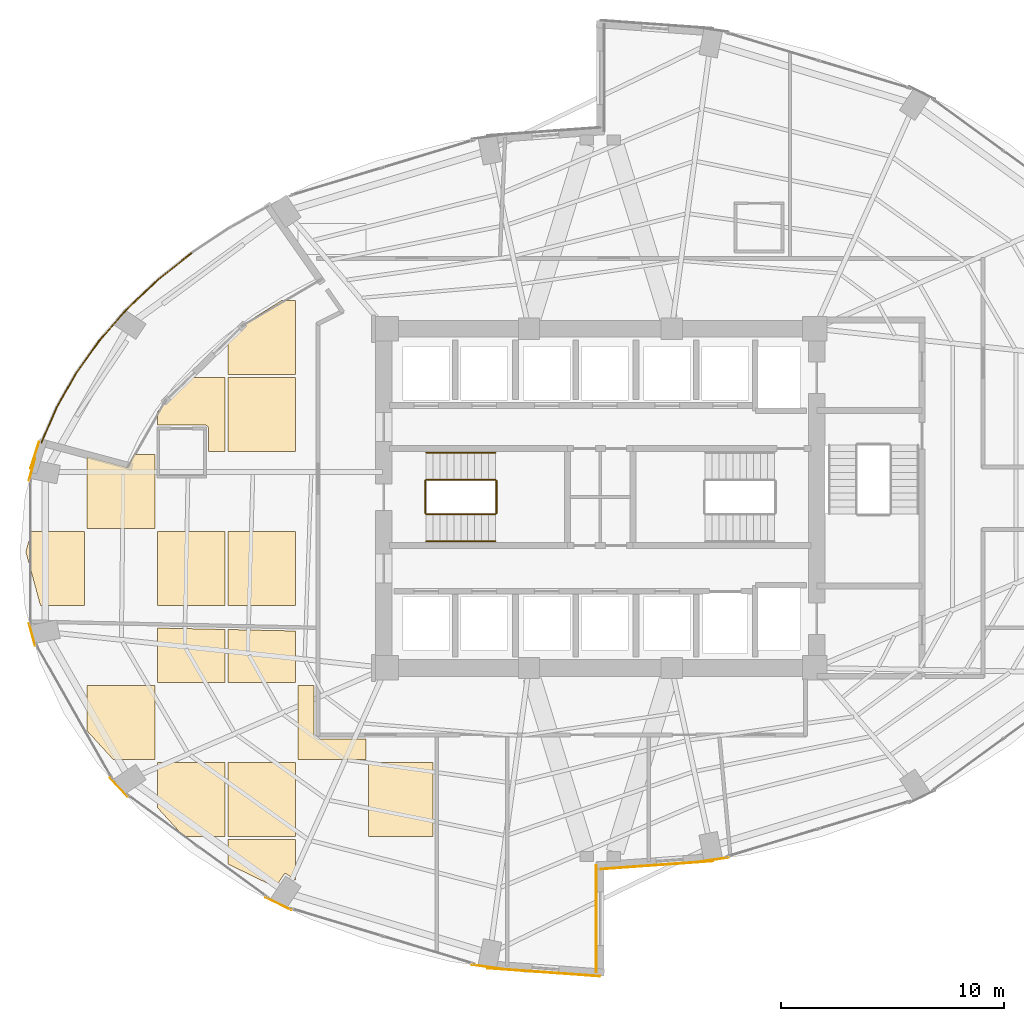
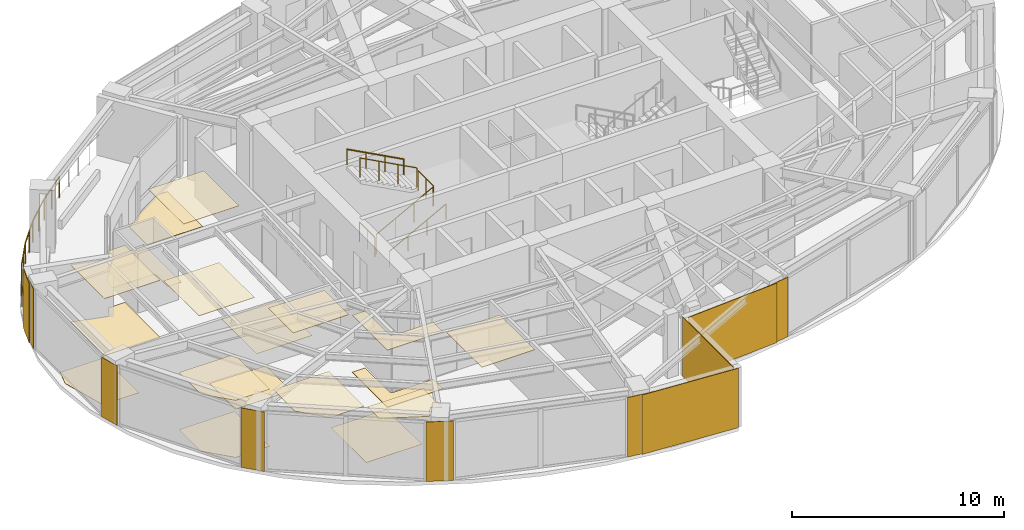
# One storey, part 23 of 24: 28 coverings, 12 railings.
"""IFC4 building model written with IfcOpenShell, lengths in metres."""

import ifcopenshell
import ifcopenshell.guid

model = None  # the IFC model being written
_history = None  # IfcOwnerHistory: only IFC2X3 demands one
_inside = {}  # id of a spatial element -> (the spatial element, [elements in it])
_under = {}  # id of a project, library or spatial element -> (it, [spatial elements below it])
_declared = {}  # id of a project -> (the project, [libraries it declares])
_typed = {}  # id of a type object -> (the type object, [elements of that type])
_made_of = {}  # id of a material, layer set ... -> (it, [elements and type objects made of it])


def new_model(schema):
    """Start an empty IFC model of exactly this schema.

    Asked for "IFC4X3", IfcOpenShell would pick the latest addendum, in which some entities
    have other attributes; the version numbers below select the first issue.
    IFC2X3 requires an IfcOwnerHistory on every rooted entity: one is made here for all.
    """
    global model, _history
    if schema == "IFC4X3":
        model = ifcopenshell.file(schema_version=(4, 3, 0, 0))
    else:
        model = ifcopenshell.file(schema=schema)
    _inside.clear()
    _under.clear()
    _declared.clear()
    _typed.clear()
    _made_of.clear()
    _history = None
    if model.schema == "IFC2X3":
        org = make("IfcOrganization", Name="unknown")
        user = make(
            "IfcPersonAndOrganization",
            ThePerson=make("IfcPerson", FamilyName="unknown"),
            TheOrganization=org,
        )
        app = make(
            "IfcApplication",
            ApplicationDeveloper=org,
            Version="unknown",
            ApplicationFullName="unknown",
            ApplicationIdentifier="unknown",
        )
        _history = make(
            "IfcOwnerHistory",
            OwningUser=user,
            OwningApplication=app,
            ChangeAction="ADDED",
            CreationDate=0,
        )
    return model


def make(cls, **values):
    """One entity of the class cls with the attributes given. An attribute that is None is left unset."""
    return model.create_entity(
        cls, **{name: value for name, value in values.items() if value is not None}
    )


def rooted(cls, **values):
    """An entity with a GlobalId (a new one), such as an element, a storey or a relation."""
    return make(cls, GlobalId=ifcopenshell.guid.new(), OwnerHistory=_history, **values)


def si_unit(unit_type, name, prefix=None):
    """IfcSIUnit, for example si_unit("LENGTHUNIT", "METRE", prefix="MILLI")."""
    return make("IfcSIUnit", UnitType=unit_type, Prefix=prefix, Name=name)


def assignment(units):
    """IfcUnitAssignment: the units of a project."""
    return None if units is None else make("IfcUnitAssignment", Units=units)


def point(xyz):
    """IfcCartesianPoint."""
    return None if xyz is None else make("IfcCartesianPoint", Coordinates=xyz)


def direction(xyz):
    """IfcDirection."""
    return None if xyz is None else make("IfcDirection", DirectionRatios=xyz)


def frame(location, z_axis=None, x_axis=None):
    """IfcAxis2Placement3D, a coordinate frame: its origin and axes. An axis left out is left unset."""
    return make(
        "IfcAxis2Placement3D",
        Location=point(location),
        Axis=direction(z_axis),
        RefDirection=direction(x_axis),
    )


def frame_2d(location, x_axis=None):
    """IfcAxis2Placement2D, a coordinate frame in the plane: its origin and x axis."""
    return make(
        "IfcAxis2Placement2D", Location=point(location), RefDirection=direction(x_axis)
    )


def origin():
    """The frame at (0, 0, 0) with its axes left unset."""
    return frame((0.0, 0.0, 0.0))


def origin_2d():
    """The frame at (0, 0) in the plane with its x axis left unset."""
    return frame_2d((0.0, 0.0))


def place(relative_to, where):
    """IfcLocalPlacement: puts the frame where relative to a parent placement (None: the world)."""
    return make(
        "IfcLocalPlacement", PlacementRelTo=relative_to, RelativePlacement=where
    )


def context(
    kind, dimensions, precision=None, world=None, true_north=None, identifier=None
):
    """IfcGeometricRepresentationContext, for example the 3D "Model" context."""
    return make(
        "IfcGeometricRepresentationContext",
        ContextIdentifier=identifier,
        ContextType=kind,
        CoordinateSpaceDimension=dimensions,
        Precision=precision,
        WorldCoordinateSystem=world,
        TrueNorth=true_north,
    )


def subcontext(parent, identifier, kind, view, scale=None):
    """IfcGeometricRepresentationSubContext, for example "Body" below "Model"."""
    return make(
        "IfcGeometricRepresentationSubContext",
        ContextIdentifier=identifier,
        ContextType=kind,
        ParentContext=parent,
        TargetScale=scale,
        TargetView=view,
    )


def project(units=None, contexts=None):
    """IfcProject with its units and contexts."""
    return rooted(
        "IfcProject",
        Name="project",
        RepresentationContexts=contexts,
        UnitsInContext=assignment(units),
    )


def spatial(cls, under=None, at=None, **own):
    """A site, building, storey or space (cls), placed at a placement, below another one or the project."""
    s = rooted(cls, ObjectPlacement=at, **own)
    if under is not None:
        _under.setdefault(under.id(), (under, []))[1].append(s)
    return s


def polyline(points):
    """IfcPolyline through the points."""
    return make("IfcPolyline", Points=[point(p) for p in points])


def profile(cls, at=None, kind="AREA", **sizes):
    """A parametric profile (cls). Its sizes go by their IFC names, for example OverallWidth=200.0."""
    return make(cls, ProfileType=kind, Position=at, **sizes)


def rectangle(**sizes):
    """IfcRectangleProfileDef."""
    return profile("IfcRectangleProfileDef", **sizes)


def circle(**sizes):
    """IfcCircleProfileDef."""
    return profile("IfcCircleProfileDef", **sizes)


def outline(outer, holes=None, kind="AREA"):
    """IfcArbitraryClosedProfileDef: a profile drawn as a closed curve; with holes, ...WithVoids."""
    if holes is None:
        return make("IfcArbitraryClosedProfileDef", ProfileType=kind, OuterCurve=outer)
    return make(
        "IfcArbitraryProfileDefWithVoids",
        ProfileType=kind,
        OuterCurve=outer,
        InnerCurves=holes,
    )


def extrude(swept, where, along, depth):
    """IfcExtrudedAreaSolid: the profile swept, set in the frame where, extruded along a direction by depth."""
    return make(
        "IfcExtrudedAreaSolid",
        SweptArea=swept,
        Position=where,
        ExtrudedDirection=direction(along),
        Depth=depth,
    )


def shape(context_of_items, identifier, shape_type, items):
    """IfcShapeRepresentation: the items that make up one representation, for example the "Body"."""
    return make(
        "IfcShapeRepresentation",
        ContextOfItems=context_of_items,
        RepresentationIdentifier=identifier,
        RepresentationType=shape_type,
        Items=items,
    )


def material(Name=None, Category=None):
    """IfcMaterial."""
    return make("IfcMaterial", Name=Name, Category=Category)


def layer(
    of_material, thickness, ventilated=None, Name=None, Category=None, Priority=None
):
    """IfcMaterialLayer: one layer of a wall or slab, of a material (None: an air gap)."""
    return make(
        "IfcMaterialLayer",
        Material=of_material,
        LayerThickness=thickness,
        IsVentilated=ventilated,
        Name=Name,
        Category=Category,
        Priority=Priority,
    )


def layer_set(layers, Name=None):
    """IfcMaterialLayerSet."""
    return make("IfcMaterialLayerSet", MaterialLayers=layers, LayerSetName=Name)


def made_of(thing, what):
    """Note that an element or type object is made of a material, layer set ...; save() writes the relation."""
    if what is not None:
        _made_of.setdefault(what.id(), (what, []))[1].append(thing)
    return thing


def type_object(cls, material=None, **own):
    """A type object (cls), such as IfcWallType, which elements share."""
    return made_of(rooted(cls, **own), material)


def element(
    cls,
    number,
    at=None,
    inside=None,
    cuts=None,
    type_object=None,
    material=None,
    context=None,
    identifier="Body",
    shape_type=None,
    held_by="IfcProductDefinitionShape",
    body=None,
    shapes=None,
    **own,
):
    """One element of the class cls, such as IfcWall. Its Tag is "e" and its number.

    at: its placement. inside: the storey or other place that contains it. cuts: it is an
    opening in that element (IfcRelVoidsElement). A single representation is given by context,
    identifier, shape_type and body (its items); several are given by shapes. held_by: the class
    of the entity that holds the representations. save() writes the other relations.
    """
    e = rooted(cls, Tag="e%d" % number, ObjectPlacement=at, **own)
    if body is not None:
        shapes = [shape(context, identifier, shape_type, body)]
    if shapes is not None:
        e.Representation = make(held_by, Representations=shapes)
    if inside is not None:
        _inside.setdefault(inside.id(), (inside, []))[1].append(e)
    if cuts is not None:
        rooted(
            "IfcRelVoidsElement", RelatingBuildingElement=cuts, RelatedOpeningElement=e
        )
    if type_object is not None:
        _typed.setdefault(type_object.id(), (type_object, []))[1].append(e)
    return made_of(e, material)


def aggregate(whole, parts):
    """IfcRelAggregates: a whole, such as a stair, and the parts it consists of."""
    return rooted("IfcRelAggregates", RelatingObject=whole, RelatedObjects=parts)


def save(model, path):
    """Write the relations noted so far, then the file.

    IfcRelAggregates (storeys below a building ...), IfcRelContainedInSpatialStructure (elements
    in a storey), IfcRelDefinesByType, IfcRelAssociatesMaterial and IfcRelDeclares: one each for
    every whole, place, type object, material and project.
    """
    for whole, parts in _under.values():
        aggregate(whole, parts)
    for where, things in _inside.values():
        rooted(
            "IfcRelContainedInSpatialStructure",
            RelatedElements=things,
            RelatingStructure=where,
        )
    for kind, things in _typed.values():
        rooted("IfcRelDefinesByType", RelatedObjects=things, RelatingType=kind)
    for what, things in _made_of.values():
        rooted("IfcRelAssociatesMaterial", RelatedObjects=things, RelatingMaterial=what)
    for by, libraries in _declared.values():
        rooted("IfcRelDeclares", RelatingContext=by, RelatedDefinitions=libraries)
    model.write(path)


model = new_model("IFC4")

# Units and contexts
model_context = context("Model", 3, precision=1e-05, world=origin(), true_north=direction((0.0, 1.0)))
body_context = subcontext(model_context, "Body", "Model", "MODEL_VIEW")
ifc_project = project(units=[si_unit("LENGTHUNIT", "METRE"), si_unit("AREAUNIT", "SQUARE_METRE"), si_unit("VOLUMEUNIT", "CUBIC_METRE"), si_unit("PLANEANGLEUNIT", "RADIAN"), si_unit("MASSUNIT", "GRAM", prefix="KILO")], contexts=[model_context])

# Site, building, storey
site_placement = place(None, origin())
site = spatial("IfcSite", under=ifc_project, at=site_placement, CompositionType="ELEMENT")
building_placement = place(site_placement, origin())
building = spatial("IfcBuilding", under=site, at=building_placement, Name="Lazwardi Medical Tower", CompositionType="ELEMENT")
storey_placement = place(building_placement, frame((0.0, 0.0, 110.927978515625)))
storey = spatial("IfcBuildingStorey", under=building, at=storey_placement, Name="L28", CompositionType="ELEMENT", Elevation=110.927978515625)

# Coverings
ifc_material_1 = material(Name="Anodised bronze aluminium cassette cladding", Category="aluminium")
ifc_layer_1 = layer(ifc_material_1, 0.030029296875)
ifc_layer_set_1 = layer_set([ifc_layer_1], Name="Anodised bronze aluminium cassette cladding")
covering_type_1 = type_object("IfcCoveringType", Name="COV-CLD-BRZ", PredefinedType="CLADDING", material=ifc_layer_set_1)
covering_1_placement = place(storey_placement, frame((41.064208984375, 11.80322265625, 0.0), z_axis=(0.0, 0.0, 1.0), x_axis=(0.989609019093, 0.143784523955, 0.0)))
element("IfcCovering", 1, at=covering_1_placement, inside=storey, type_object=covering_type_1, Name="L28 Mega-column bronze cassette cover M01", PredefinedType="CLADDING", context=body_context, shape_type="SweptSolid", body=[
    extrude(rectangle(XDim=1.392333984375, YDim=0.030029296875, at=origin_2d()), origin(), (0.0, 0.0, 1.0), 3.427978515625),
])
for number, where, z_axis, x_axis, name in (
    (2, (10.540283203125, 29.299072265625, 0.0), (0.0, 0.0, 1.0), (-0.262696108164, -0.964878621774, 0.0), "L28 Mega-column bronze cassette cover M12"),
    (3, (10.540283203125, 21.90087890625, 0.0), (0.0, 0.0, 1.0), (0.262696108164, -0.964878621774, 0.0), "L28 Mega-column bronze cassette cover M13"),
):
    element("IfcCovering", number, at=place(storey_placement, frame(where, z_axis=z_axis, x_axis=x_axis)), inside=storey, type_object=covering_type_1, Name=name, PredefinedType="CLADDING", context=body_context, shape_type="SweptSolid", body=[
        extrude(rectangle(XDim=1.04296875, YDim=0.030029296875, at=origin_2d()), origin(), (0.0, 0.0, 1.0), 3.427978515625),
    ])
covering_2_placement = place(storey_placement, frame((14.416259765625, 15.06591796875, 0.0), z_axis=(0.0, 0.0, 1.0), x_axis=(0.674925949214, -0.737885467453, 0.0)))
element("IfcCovering", 4, at=covering_2_placement, inside=storey, type_object=covering_type_1, Name="L28 Mega-column bronze cassette cover M14", PredefinedType="CLADDING", context=body_context, shape_type="SweptSolid", body=[
    extrude(rectangle(XDim=1.15625, YDim=0.030029296875, at=origin_2d()), origin(), (0.0, 0.0, 1.0), 3.427978515625),
])
covering_3_placement = place(storey_placement, frame((21.578125, 9.83447265625, 0.0), z_axis=(0.0, 0.0, 1.0), x_axis=(0.898679250201, -0.438606435495, 0.0)))
element("IfcCovering", 5, at=covering_3_placement, inside=storey, type_object=covering_type_1, Name="L28 Mega-column bronze cassette cover M15", PredefinedType="CLADDING", context=body_context, shape_type="SweptSolid", body=[
    extrude(rectangle(XDim=1.2998046875, YDim=0.030029296875, at=origin_2d()), origin(), (0.0, 0.0, 1.0), 3.427978515625),
])
covering_4_placement = place(storey_placement, frame((30.935791015625, 7.00341796875, 0.0), z_axis=(0.0, 0.0, 1.0), x_axis=(0.989609019093, -0.143784523955, 0.0)))
element("IfcCovering", 6, at=covering_4_placement, inside=storey, type_object=covering_type_1, Name="L28 Mega-column bronze cassette cover M16", PredefinedType="CLADDING", context=body_context, shape_type="SweptSolid", body=[
    extrude(rectangle(XDim=1.392333984375, YDim=0.030029296875, at=origin_2d()), origin(), (0.0, 0.0, 1.0), 3.427978515625),
])
ifc_material_2 = material(Name="Turquoise glazed ceramic tilework cladding", Category="masonry")
ifc_layer_2 = layer(ifc_material_2, 0.034912109375)
ifc_layer_set_2 = layer_set([ifc_layer_2], Name="Turquoise glazed ceramic tilework cladding")
covering_type_2 = type_object("IfcCoveringType", Name="COV-CLD-TRQ", PredefinedType="CLADDING", material=ifc_layer_set_2)
covering_5_placement = place(storey_placement, frame((38.533203125, 11.56591796875, 0.0), z_axis=(0.0, 0.0, 1.0), x_axis=(0.997431665415, 0.07162452672, 0.0)))
element("IfcCovering", 7, at=covering_5_placement, inside=storey, type_object=covering_type_2, Name="L28 Turquoise glazed ceramic tilework cladding", PredefinedType="CLADDING", context=body_context, shape_type="SweptSolid", body=[
    extrude(rectangle(XDim=5.05419921875, YDim=0.034912109375, at=origin_2d()), origin(), (0.0, 0.0, 1.0), 3.427978515625),
])
covering_6_placement = place(storey_placement, frame((33.466552734375, 6.76611328125, 0.0), z_axis=(0.0, 0.0, 1.0), x_axis=(0.997431165357, -0.071631490105, 0.0)))
element("IfcCovering", 8, at=covering_6_placement, inside=storey, type_object=covering_type_2, Name="L28 Turquoise glazed ceramic tilework cladding", PredefinedType="CLADDING", context=body_context, shape_type="SweptSolid", body=[
    extrude(rectangle(XDim=5.0537109375, YDim=0.034912109375, at=origin_2d()), origin(), (0.0, 0.0, 1.0), 3.427978515625),
])
covering_7_placement = place(storey_placement, frame((35.824462890625, 9.159912109375, 0.0), z_axis=(0.0, 0.0, 1.0), x_axis=(0.0, 1.0, 0.0)))
element("IfcCovering", 9, at=covering_7_placement, inside=storey, type_object=covering_type_2, Name="L28 Turquoise glazed ceramic tilework iwan panel", PredefinedType="CLADDING", context=body_context, shape_type="SweptSolid", body=[
    extrude(rectangle(XDim=4.800048828125, YDim=0.034912109375, at=origin_2d()), origin(), (0.0, 0.0, 1.0), 3.427978515625),
])
covering_8_placement = place(storey_placement, frame((10.661865234375, 29.933837890625, 0.0), z_axis=(0.0, 0.0, 1.0), x_axis=(-0.304555105539, -0.952494717933, 0.0)))
element("IfcCovering", 10, at=covering_8_placement, inside=storey, type_object=covering_type_2, Name="L28 Turquoise glazed ceramic tilework cladding", PredefinedType="CLADDING", context=body_context, shape_type="SweptSolid", body=[
    extrude(rectangle(XDim=1.26171875, YDim=0.034912109375, at=origin_2d()), origin(), (0.0, 0.0, 1.0), 3.427978515625),
])
ifc_material_3 = material(Name="Acoustic mineral fibre tile")
ifc_layer_3 = layer(ifc_material_3, 0.02490234375)
ifc_layer_set_3 = layer_set([ifc_layer_3], Name="Acoustic mineral fibre tile")
covering_type_3 = type_object("IfcCoveringType", Name="COV-CLG-01", PredefinedType="CEILING", material=ifc_layer_set_3)
covering_9_placement = place(storey_placement, frame((0.0, 0.0, 3.282958984375)))
element("IfcCovering", 11, at=covering_9_placement, inside=storey, type_object=covering_type_3, Name="L28 Clinical Acoustic Ceiling 1", PredefinedType="CEILING", context=body_context, shape_type="SweptSolid", body=[
    extrude(outline(polyline([(13.012939453125, 17.56982421875), (14.18408203125, 16.29248046875), (16.04296875, 16.29248046875), (16.04296875, 19.622314453125), (13.012939453125, 19.622314453125), (13.012939453125, 17.56982421875)])), origin(), (0.0, 0.0, 1.0), 0.025146484375),
])
covering_10_placement = place(storey_placement, frame((0.0, 0.0, 3.282958984375)))
element("IfcCovering", 12, at=covering_10_placement, inside=storey, type_object=covering_type_3, Name="L28 Clinical Acoustic Ceiling 2", PredefinedType="CEILING", context=body_context, shape_type="SweptSolid", body=[
    extrude(outline(polyline([(16.04296875, 28.943359375), (16.0419921875, 28.949951171875), (16.041259765625, 28.956787109375), (16.040771484375, 28.963623046875), (16.040771484375, 28.968505859375), (16.040771484375, 29.972412109375), (15.108154296875, 29.972412109375), (14.86083984375, 29.438232421875), (14.857177734375, 29.43115234375), (14.852783203125, 29.424560546875), (14.84765625, 29.41845703125), (14.842041015625, 29.41259765625), (14.8359375, 29.40771484375), (14.829345703125, 29.4033203125), (14.822265625, 29.3994140625), (14.814697265625, 29.396484375), (14.80712890625, 29.394287109375), (14.79931640625, 29.392578125), (14.791259765625, 29.39208984375), (14.783203125, 29.39208984375), (14.775390625, 29.392822265625), (14.767578125, 29.39453125), (13.012939453125, 29.86474609375), (13.012939453125, 26.642333984375), (16.04296875, 26.642333984375), (16.04296875, 28.943359375)])), origin(), (0.0, 0.0, 1.0), 0.025146484375),
])
covering_11_placement = place(storey_placement, frame((0.0, 0.0, 3.282958984375)))
element("IfcCovering", 13, at=covering_11_placement, inside=storey, type_object=covering_type_3, Name="L28 Clinical Acoustic Ceiling 3", PredefinedType="CEILING", context=body_context, shape_type="SweptSolid", body=[
    extrude(outline(polyline([(16.162841796875, 14.1337890625), (17.3466796875, 12.84228515625), (19.19287109375, 12.84228515625), (19.19287109375, 16.17236328125), (16.162841796875, 16.17236328125), (16.162841796875, 14.1337890625)])), origin(), (0.0, 0.0, 1.0), 0.025146484375),
])
covering_12_placement = place(storey_placement, frame((0.0, 0.0, 3.282958984375)))
element("IfcCovering", 14, at=covering_12_placement, inside=storey, type_object=covering_type_3, Name="L28 Clinical Acoustic Ceiling 4", PredefinedType="CEILING", context=body_context, shape_type="SweptSolid", body=[
    extrude(outline(polyline([(19.19287109375, 23.1923828125), (19.19287109375, 26.5224609375), (16.162841796875, 26.5224609375), (16.162841796875, 23.1923828125), (19.19287109375, 23.1923828125)])), origin(), (0.0, 0.0, 1.0), 0.025146484375),
])
covering_13_placement = place(storey_placement, frame((0.0, 0.0, 3.282958984375)))
element("IfcCovering", 15, at=covering_13_placement, inside=storey, type_object=covering_type_3, Name="L28 Clinical Acoustic Ceiling 5", PredefinedType="CEILING", context=body_context, shape_type="SweptSolid", body=[
    extrude(outline(polyline([(19.31298828125, 11.616455078125), (21.447509765625, 10.576904296875), (21.828369140625, 11.14697265625), (21.8330078125, 11.1533203125), (21.83837890625, 11.1591796875), (21.843994140625, 11.164306640625), (21.8505859375, 11.1689453125), (21.857177734375, 11.173095703125), (21.8642578125, 11.176513671875), (21.87158203125, 11.17919921875), (21.87939453125, 11.180908203125), (21.88720703125, 11.18212890625), (21.89501953125, 11.1826171875), (21.902587890625, 11.18212890625), (21.910400390625, 11.180908203125), (21.918212890625, 11.17919921875), (21.925537109375, 11.176513671875), (21.9326171875, 11.173095703125), (21.939208984375, 11.1689453125), (22.343017578125, 10.8994140625), (22.343017578125, 12.722412109375), (19.31298828125, 12.722412109375), (19.31298828125, 11.616455078125)])), origin(), (0.0, 0.0, 1.0), 0.025146484375),
])
covering_14_placement = place(storey_placement, frame((0.0, 0.0, 3.282958984375)))
element("IfcCovering", 16, at=covering_14_placement, inside=storey, type_object=covering_type_3, Name="L28 Clinical Acoustic Ceiling 6", PredefinedType="CEILING", context=body_context, shape_type="SweptSolid", body=[
    extrude(outline(polyline([(22.343017578125, 22.056396484375), (19.31298828125, 22.1220703125), (19.31298828125, 19.742431640625), (22.343017578125, 19.742431640625), (22.343017578125, 22.056396484375)])), origin(), (0.0, 0.0, 1.0), 0.025146484375),
])
covering_15_placement = place(storey_placement, frame((0.0, 0.0, 3.282958984375)))
element("IfcCovering", 17, at=covering_15_placement, inside=storey, type_object=covering_type_3, Name="L28 Clinical Acoustic Ceiling 7", PredefinedType="CEILING", context=body_context, shape_type="SweptSolid", body=[
    extrude(outline(polyline([(22.343017578125, 30.09228515625), (22.343017578125, 33.42236328125), (19.31298828125, 33.42236328125), (19.31298828125, 30.09228515625), (22.343017578125, 30.09228515625)])), origin(), (0.0, 0.0, 1.0), 0.025146484375),
])
covering_16_placement = place(storey_placement, frame((0.0, 0.0, 3.282958984375)))
element("IfcCovering", 18, at=covering_16_placement, inside=storey, type_object=covering_type_3, Name="L28 Clinical Acoustic Ceiling 8", PredefinedType="CEILING", context=body_context, shape_type="SweptSolid", body=[
    extrude(outline(polyline([(25.492919921875, 17.22509765625), (23.35009765625, 17.22509765625), (23.345703125, 17.22509765625), (23.33642578125, 17.2255859375), (23.32958984375, 17.226318359375), (23.3203125, 17.2275390625), (23.31201171875, 17.229248046875), (23.302734375, 17.2314453125), (23.2958984375, 17.233642578125), (23.287109375, 17.23681640625), (23.279296875, 17.239990234375), (23.270751953125, 17.243896484375), (23.263916015625, 17.24755859375), (23.256103515625, 17.25244140625), (23.249267578125, 17.2568359375), (23.24169921875, 17.262451171875), (23.236083984375, 17.26708984375), (23.229248046875, 17.273193359375), (23.223388671875, 17.279296875), (23.217041015625, 17.2861328125), (23.21240234375, 17.291748046875), (23.206787109375, 17.29931640625), (23.202392578125, 17.305908203125), (23.197509765625, 17.31396484375), (23.194091796875, 17.32080078125), (23.18994140625, 17.3291015625), (23.186767578125, 17.3369140625), (23.18359375, 17.345703125), (23.181396484375, 17.352783203125), (23.17919921875, 17.36181640625), (23.177490234375, 17.370361328125), (23.17626953125, 17.37939453125), (23.175537109375, 17.386474609375), (23.175048828125, 17.395751953125), (23.175048828125, 17.39990234375), (23.175048828125, 19.622314453125), (22.462890625, 19.622314453125), (22.462890625, 16.29248046875), (25.492919921875, 16.29248046875), (25.492919921875, 17.22509765625)])), origin(), (0.0, 0.0, 1.0), 0.025146484375),
])
covering_17_placement = place(storey_placement, frame((0.0, 0.0, 3.282958984375)))
element("IfcCovering", 19, at=covering_17_placement, inside=storey, type_object=covering_type_3, Name="L28 Clinical Acoustic Ceiling 10", PredefinedType="CEILING", context=body_context, shape_type="SweptSolid", body=[
    extrude(outline(polyline([(28.5048828125, 12.84228515625), (28.5048828125, 16.17236328125), (25.61279296875, 16.17236328125), (25.61279296875, 12.84228515625), (28.5048828125, 12.84228515625)])), origin(), (0.0, 0.0, 1.0), 0.025146484375),
])
ifc_material_4 = material(Name="Anti-static hospital vinyl sheet flooring")
ifc_layer_4 = layer(ifc_material_4, 0.014892578125)
ifc_layer_set_4 = layer_set([ifc_layer_4], Name="Anti-static hospital vinyl sheet flooring")
covering_type_4 = type_object("IfcCoveringType", Name="COV-FLR-01", PredefinedType="FLOORING", material=ifc_layer_set_4)
covering_18_placement = place(storey_placement, origin())
element("IfcCovering", 20, at=covering_18_placement, inside=storey, type_object=covering_type_4, Name="L28 Clinical Vinyl Flooring 1", PredefinedType="FLOORING", context=body_context, shape_type="SweptSolid", body=[
    extrude(outline(polyline([(10.5146484375, 26.5224609375), (10.262939453125, 25.60009765625), (10.919921875, 23.1923828125), (12.892822265625, 23.1923828125), (12.892822265625, 26.5224609375), (10.5146484375, 26.5224609375)])), origin(), (0.0, 0.0, 1.0), 0.01513671875),
])
covering_19_placement = place(storey_placement, origin())
element("IfcCovering", 21, at=covering_19_placement, inside=storey, type_object=covering_type_4, Name="L28 Clinical Vinyl Flooring 2", PredefinedType="FLOORING", context=body_context, shape_type="SweptSolid", body=[
    extrude(outline(polyline([(13.012939453125, 17.56982421875), (14.18408203125, 16.29248046875), (16.04296875, 16.29248046875), (16.04296875, 19.622314453125), (13.012939453125, 19.622314453125), (13.012939453125, 17.56982421875)])), origin(), (0.0, 0.0, 1.0), 0.01513671875),
])
covering_20_placement = place(storey_placement, origin())
element("IfcCovering", 22, at=covering_20_placement, inside=storey, type_object=covering_type_4, Name="L28 Clinical Vinyl Flooring 3", PredefinedType="FLOORING", context=body_context, shape_type="SweptSolid", body=[
    extrude(outline(polyline([(16.04296875, 28.943359375), (16.0419921875, 28.949951171875), (16.041259765625, 28.956787109375), (16.040771484375, 28.963623046875), (16.040771484375, 28.968505859375), (16.040771484375, 29.972412109375), (15.108154296875, 29.972412109375), (14.86083984375, 29.438232421875), (14.857177734375, 29.43115234375), (14.852783203125, 29.424560546875), (14.84765625, 29.41845703125), (14.842041015625, 29.41259765625), (14.8359375, 29.40771484375), (14.829345703125, 29.4033203125), (14.822265625, 29.3994140625), (14.814697265625, 29.396484375), (14.80712890625, 29.394287109375), (14.79931640625, 29.392578125), (14.791259765625, 29.39208984375), (14.783203125, 29.39208984375), (14.775390625, 29.392822265625), (14.767578125, 29.39453125), (13.012939453125, 29.86474609375), (13.012939453125, 26.642333984375), (16.04296875, 26.642333984375), (16.04296875, 28.943359375)])), origin(), (0.0, 0.0, 1.0), 0.01513671875),
])
covering_21_placement = place(storey_placement, origin())
element("IfcCovering", 23, at=covering_21_placement, inside=storey, type_object=covering_type_4, Name="L28 Clinical Vinyl Flooring 4", PredefinedType="FLOORING", context=body_context, shape_type="SweptSolid", body=[
    extrude(outline(polyline([(19.19287109375, 22.124755859375), (16.162841796875, 22.1904296875), (16.162841796875, 19.742431640625), (19.19287109375, 19.742431640625), (19.19287109375, 22.124755859375)])), origin(), (0.0, 0.0, 1.0), 0.01513671875),
])
covering_22_placement = place(storey_placement, origin())
element("IfcCovering", 24, at=covering_22_placement, inside=storey, type_object=covering_type_4, Name="L28 Clinical Vinyl Flooring 5", PredefinedType="FLOORING", context=body_context, shape_type="SweptSolid", body=[
    extrude(outline(polyline([(17.411865234375, 33.42236328125), (17.043212890625, 33.0283203125), (16.16357421875, 31.877197265625), (16.162841796875, 31.8759765625), (16.162841796875, 31.275634765625), (16.16552734375, 31.276123046875), (16.17236328125, 31.277099609375), (16.180419921875, 31.278076171875), (16.187255859375, 31.2783203125), (16.190673828125, 31.2783203125), (18.290771484375, 31.2783203125), (18.294189453125, 31.2783203125), (18.301025390625, 31.278076171875), (18.30908203125, 31.277099609375), (18.31591796875, 31.276123046875), (18.324462890625, 31.274658203125), (18.3310546875, 31.27294921875), (18.337646484375, 31.270751953125), (18.34423828125, 31.2685546875), (18.351318359375, 31.265625), (18.357666015625, 31.2626953125), (18.365478515625, 31.258544921875), (18.371337890625, 31.2548828125), (18.37744140625, 31.250732421875), (18.3828125, 31.24658203125), (18.388671875, 31.241943359375), (18.393798828125, 31.2373046875), (18.399658203125, 31.2314453125), (18.404296875, 31.226318359375), (18.408935546875, 31.220703125), (18.4130859375, 31.215087890625), (18.417236328125, 31.208984375), (18.4208984375, 31.203125), (18.425048828125, 31.1953125), (18.427978515625, 31.189208984375), (18.430908203125, 31.181884765625), (18.43310546875, 31.17529296875), (18.435302734375, 31.168701171875), (18.43701171875, 31.162109375), (18.4384765625, 31.15380859375), (18.439453125, 31.14697265625), (18.440185546875, 31.138916015625), (18.440673828125, 31.1318359375), (18.440673828125, 31.12841796875), (18.440673828125, 30.09228515625), (19.19287109375, 30.09228515625), (19.19287109375, 33.42236328125), (17.411865234375, 33.42236328125)])), origin(), (0.0, 0.0, 1.0), 0.01513671875),
])
covering_23_placement = place(storey_placement, origin())
element("IfcCovering", 25, at=covering_23_placement, inside=storey, type_object=covering_type_4, Name="L28 Clinical Vinyl Flooring 6", PredefinedType="FLOORING", context=body_context, shape_type="SweptSolid", body=[
    extrude(outline(polyline([(22.343017578125, 12.84228515625), (22.343017578125, 16.17236328125), (19.31298828125, 16.17236328125), (19.31298828125, 12.84228515625), (22.343017578125, 12.84228515625)])), origin(), (0.0, 0.0, 1.0), 0.01513671875),
])
covering_24_placement = place(storey_placement, origin())
element("IfcCovering", 26, at=covering_24_placement, inside=storey, type_object=covering_type_4, Name="L28 Clinical Vinyl Flooring 7", PredefinedType="FLOORING", context=body_context, shape_type="SweptSolid", body=[
    extrude(outline(polyline([(22.343017578125, 23.1923828125), (22.343017578125, 26.5224609375), (19.31298828125, 26.5224609375), (19.31298828125, 23.1923828125), (22.343017578125, 23.1923828125)])), origin(), (0.0, 0.0, 1.0), 0.01513671875),
])
covering_25_placement = place(storey_placement, origin())
element("IfcCovering", 27, at=covering_25_placement, inside=storey, type_object=covering_type_4, Name="L28 Clinical Vinyl Flooring 8", PredefinedType="FLOORING", context=body_context, shape_type="SweptSolid", body=[
    extrude(outline(polyline([(21.735107421875, 36.872314453125), (20.51708984375, 36.1123046875), (19.31298828125, 35.216796875), (19.31298828125, 33.54248046875), (22.343017578125, 33.54248046875), (22.343017578125, 36.872314453125), (21.735107421875, 36.872314453125)])), origin(), (0.0, 0.0, 1.0), 0.01513671875),
])
covering_26_placement = place(storey_placement, origin())
element("IfcCovering", 28, at=covering_26_placement, inside=storey, type_object=covering_type_4, Name="L28 Clinical Vinyl Flooring 9", PredefinedType="FLOORING", context=body_context, shape_type="SweptSolid", body=[
    extrude(outline(polyline([(25.492919921875, 17.22509765625), (23.35009765625, 17.22509765625), (23.345703125, 17.22509765625), (23.33642578125, 17.2255859375), (23.32958984375, 17.226318359375), (23.3203125, 17.2275390625), (23.31201171875, 17.229248046875), (23.302734375, 17.2314453125), (23.2958984375, 17.233642578125), (23.287109375, 17.23681640625), (23.279296875, 17.239990234375), (23.270751953125, 17.243896484375), (23.263916015625, 17.24755859375), (23.256103515625, 17.25244140625), (23.249267578125, 17.2568359375), (23.24169921875, 17.262451171875), (23.236083984375, 17.26708984375), (23.229248046875, 17.273193359375), (23.223388671875, 17.279296875), (23.217041015625, 17.2861328125), (23.21240234375, 17.291748046875), (23.206787109375, 17.29931640625), (23.202392578125, 17.305908203125), (23.197509765625, 17.31396484375), (23.194091796875, 17.32080078125), (23.18994140625, 17.3291015625), (23.186767578125, 17.3369140625), (23.18359375, 17.345703125), (23.181396484375, 17.352783203125), (23.17919921875, 17.36181640625), (23.177490234375, 17.370361328125), (23.17626953125, 17.37939453125), (23.175537109375, 17.386474609375), (23.175048828125, 17.395751953125), (23.175048828125, 17.39990234375), (23.175048828125, 19.622314453125), (22.462890625, 19.622314453125), (22.462890625, 16.29248046875), (25.492919921875, 16.29248046875), (25.492919921875, 17.22509765625)])), origin(), (0.0, 0.0, 1.0), 0.01513671875),
])

# Railings
ifc_material_5 = material(Name="Stainless steel Grade 316", Category="steel")
railing_type_1 = type_object("IfcRailingType", Name="RLG-GRD-1150", PredefinedType="GUARDRAIL", material=ifc_material_5)
railing_1_placement = place(storey_placement, frame((28.199951171875, 27.2900390625, 0.165771484375)))
element("IfcRailing", 29, at=railing_1_placement, inside=storey, type_object=railing_type_1, Name="L28 ST1 stair guard 1", PredefinedType="GUARDRAIL", context=body_context, shape_type="SweptSolid", body=[
    extrude(circle(Radius=0.02392578125, at=origin_2d()), frame((0.0, 0.0, 1.1259765625), z_axis=(0.881783298633, 0.0, 0.471654761719), x_axis=(0.0, 1.0, 0.0)), (0.0, 0.0, 1.0), 3.515625),
    extrude(circle(Radius=0.02099609375, at=origin_2d()), origin(), (0.0, 0.0, 1.0), 1.099853515625),
    extrude(circle(Radius=0.02099609375, at=origin_2d()), frame((1.033447265625, 0.0, 0.552734375)), (0.0, 0.0, 1.0), 1.099853515625),
    extrude(circle(Radius=0.02099609375, at=origin_2d()), frame((2.066650390625, 0.0, 1.10546875)), (0.0, 0.0, 1.0), 1.099853515625),
    extrude(circle(Radius=0.02099609375, at=origin_2d()), frame((3.10009765625, 0.0, 1.658203125)), (0.0, 0.0, 1.0), 1.099853515625),
])
railing_2_placement = place(storey_placement, frame((31.35009765625, 27.340087890625, 1.823974609375)))
element("IfcRailing", 30, at=railing_2_placement, inside=storey, type_object=railing_type_1, Name="L28 ST1 stair guard 2", PredefinedType="GUARDRAIL", context=body_context, shape_type="SweptSolid", body=[
    extrude(circle(Radius=0.02392578125, at=origin_2d()), frame((0.0, 0.0, 1.1259765625), z_axis=(0.0, 1.0, 0.0), x_axis=(-1.0, 0.0, 0.0)), (0.0, 0.0, 1.0), 1.43994140625),
    extrude(circle(Radius=0.02099609375, at=origin_2d()), origin(), (0.0, 0.0, 1.0), 1.099853515625),
    extrude(circle(Radius=0.02099609375, at=origin_2d()), frame((0.0, 0.719970703125, 0.0)), (0.0, 0.0, 1.0), 1.099853515625),
    extrude(circle(Radius=0.02099609375, at=origin_2d()), frame((0.0, 1.43994140625, 0.0)), (0.0, 0.0, 1.0), 1.099853515625),
])
railing_3_placement = place(storey_placement, frame((31.300048828125, 28.830078125, 1.98974609375)))
element("IfcRailing", 31, at=railing_3_placement, inside=storey, type_object=railing_type_1, Name="L28 ST1 stair guard 3", PredefinedType="GUARDRAIL", context=body_context, shape_type="SweptSolid", body=[
    extrude(circle(Radius=0.02392578125, at=origin_2d()), frame((0.0, 0.0, 1.1259765625), z_axis=(-0.881783298633, 0.0, 0.471654761719), x_axis=(0.0, -1.0, 0.0)), (0.0, 0.0, 1.0), 3.515625),
    extrude(circle(Radius=0.02099609375, at=origin_2d()), origin(), (0.0, 0.0, 1.0), 1.099853515625),
    extrude(circle(Radius=0.02099609375, at=origin_2d()), frame((-1.033447265625, 0.0, 0.552734375)), (0.0, 0.0, 1.0), 1.099853515625),
    extrude(circle(Radius=0.02099609375, at=origin_2d()), frame((-2.066650390625, 0.0, 1.10546875)), (0.0, 0.0, 1.0), 1.099853515625),
    extrude(circle(Radius=0.02099609375, at=origin_2d()), frame((-3.10009765625, 0.0, 1.658203125)), (0.0, 0.0, 1.0), 1.099853515625),
])
railing_4_placement = place(storey_placement, frame((28.14990234375, 27.340087890625, 0.0)))
element("IfcRailing", 32, at=railing_4_placement, inside=storey, type_object=railing_type_1, Name="L28 ST1 stair guard 4", PredefinedType="GUARDRAIL", context=body_context, shape_type="SweptSolid", body=[
    extrude(circle(Radius=0.02392578125, at=origin_2d()), frame((0.0, 0.0, 1.1259765625), z_axis=(0.0, 1.0, 0.0), x_axis=(-1.0, 0.0, 0.0)), (0.0, 0.0, 1.0), 1.43994140625),
    extrude(circle(Radius=0.02099609375, at=origin_2d()), origin(), (0.0, 0.0, 1.0), 1.099853515625),
    extrude(circle(Radius=0.02099609375, at=origin_2d()), frame((0.0, 0.719970703125, 0.0)), (0.0, 0.0, 1.0), 1.099853515625),
    extrude(circle(Radius=0.02099609375, at=origin_2d()), frame((0.0, 1.43994140625, 0.0)), (0.0, 0.0, 1.0), 1.099853515625),
])
railing_type_2 = type_object("IfcRailingType", Name="RLG-HND-920", PredefinedType="HANDRAIL", material=ifc_material_5)
railing_5_placement = place(storey_placement, frame((28.199951171875, 26.070068359375, 0.165771484375)))
element("IfcRailing", 33, at=railing_5_placement, inside=storey, type_object=railing_type_2, Name="L28 ST1 stair handrail 1", PredefinedType="HANDRAIL", context=body_context, shape_type="SweptSolid", body=[
    extrude(circle(Radius=0.02392578125, at=origin_2d()), frame((0.0, 0.0, 0.8857421875), z_axis=(0.881783298633, 0.0, 0.471654761719), x_axis=(0.0, 1.0, 0.0)), (0.0, 0.0, 1.0), 3.515625),
    extrude(circle(Radius=0.02099609375, at=origin_2d()), origin(), (0.0, 0.0, 1.0), 0.85986328125),
    extrude(circle(Radius=0.02099609375, at=origin_2d()), frame((1.033447265625, 0.0, 0.552734375)), (0.0, 0.0, 1.0), 0.85986328125),
    extrude(circle(Radius=0.02099609375, at=origin_2d()), frame((2.066650390625, 0.0, 1.10546875)), (0.0, 0.0, 1.0), 0.85986328125),
    extrude(circle(Radius=0.02099609375, at=origin_2d()), frame((3.10009765625, 0.0, 1.658203125)), (0.0, 0.0, 1.0), 0.85986328125),
])
railing_6_placement = place(storey_placement, frame((31.300048828125, 30.050048828125, 1.98974609375)))
element("IfcRailing", 34, at=railing_6_placement, inside=storey, type_object=railing_type_2, Name="L28 ST1 stair handrail 2", PredefinedType="HANDRAIL", context=body_context, shape_type="SweptSolid", body=[
    extrude(circle(Radius=0.02392578125, at=origin_2d()), frame((0.0, 0.0, 0.8857421875), z_axis=(-0.881783298633, 0.0, 0.471654761719), x_axis=(0.0, -1.0, 0.0)), (0.0, 0.0, 1.0), 3.515625),
    extrude(circle(Radius=0.02099609375, at=origin_2d()), origin(), (0.0, 0.0, 1.0), 0.85986328125),
    extrude(circle(Radius=0.02099609375, at=origin_2d()), frame((-1.033447265625, 0.0, 0.552734375)), (0.0, 0.0, 1.0), 0.85986328125),
    extrude(circle(Radius=0.02099609375, at=origin_2d()), frame((-2.066650390625, 0.0, 1.10546875)), (0.0, 0.0, 1.0), 0.85986328125),
    extrude(circle(Radius=0.02099609375, at=origin_2d()), frame((-3.10009765625, 0.0, 1.658203125)), (0.0, 0.0, 1.0), 0.85986328125),
])
ifc_material_6 = material(Name="Anodised bronze aluminium and laminated glass", Category="aluminium")
railing_type_3 = type_object("IfcRailingType", Name="RLG-SKG-1250", PredefinedType="GUARDRAIL", material=ifc_material_6)
railing_7_placement = place(storey_placement, frame((17.671875, 38.978515625, 0.0)))
element("IfcRailing", 35, at=railing_7_placement, inside=storey, type_object=railing_type_3, Name="L28 Sky Garden SG2 Perimeter Guard 03", PredefinedType="GUARDRAIL", context=body_context, shape_type="SweptSolid", body=[
    extrude(circle(Radius=0.02392578125, at=origin_2d()), frame((0.0, 0.0, 1.22607421875), z_axis=(-0.782171853936, -0.623062750379, 0.0), x_axis=(0.623062750379, -0.782171853936, 0.0)), (0.0, 0.0, 1.0), 1.953369140625),
    extrude(circle(Radius=0.02099609375, at=origin_2d()), origin(), (0.0, 0.0, 1.0), 1.199951171875),
    extrude(circle(Radius=0.02099609375, at=origin_2d()), frame((-0.763916015625, -0.6083984375, 0.0)), (0.0, 0.0, 1.0), 1.199951171875),
    extrude(circle(Radius=0.02099609375, at=origin_2d()), frame((-1.52783203125, -1.217041015625, 0.0)), (0.0, 0.0, 1.0), 1.199951171875),
])
railing_8_placement = place(storey_placement, frame((16.14404296875, 37.761474609375, 0.0)))
element("IfcRailing", 36, at=railing_8_placement, inside=storey, type_object=railing_type_3, Name="L28 Sky Garden SG2 Perimeter Guard 04", PredefinedType="GUARDRAIL", context=body_context, shape_type="SweptSolid", body=[
    extrude(circle(Radius=0.02392578125, at=origin_2d()), frame((0.0, 0.0, 1.22607421875), z_axis=(-0.724556496413, -0.689215411541, 0.0), x_axis=(0.689215411541, -0.724556496413, 0.0)), (0.0, 0.0, 1.0), 1.899658203125),
    extrude(circle(Radius=0.02099609375, at=origin_2d()), origin(), (0.0, 0.0, 1.0), 1.199951171875),
    extrude(circle(Radius=0.02099609375, at=origin_2d()), frame((-0.688232421875, -0.65478515625, 0.0)), (0.0, 0.0, 1.0), 1.199951171875),
    extrude(circle(Radius=0.02099609375, at=origin_2d()), frame((-1.37646484375, -1.309326171875, 0.0)), (0.0, 0.0, 1.0), 1.199951171875),
])
railing_9_placement = place(storey_placement, frame((14.767578125, 36.4521484375, 0.0)))
element("IfcRailing", 37, at=railing_9_placement, inside=storey, type_object=railing_type_3, Name="L28 Sky Garden SG2 Perimeter Guard 05", PredefinedType="GUARDRAIL", context=body_context, shape_type="SweptSolid", body=[
    extrude(circle(Radius=0.02392578125, at=origin_2d()), frame((0.0, 0.0, 1.22607421875), z_axis=(-0.657587427277, -0.753378241979, 0.0), x_axis=(0.753378241979, -0.657587427277, 0.0)), (0.0, 0.0, 1.0), 1.847900390625),
    extrude(circle(Radius=0.02099609375, at=origin_2d()), origin(), (0.0, 0.0, 1.0), 1.199951171875),
    extrude(circle(Radius=0.02099609375, at=origin_2d()), frame((-0.607421875, -0.696044921875, 0.0)), (0.0, 0.0, 1.0), 1.199951171875),
    extrude(circle(Radius=0.02099609375, at=origin_2d()), frame((-1.215087890625, -1.39208984375, 0.0)), (0.0, 0.0, 1.0), 1.199951171875),
])
railing_10_placement = place(storey_placement, frame((13.552490234375, 35.06005859375, 0.0)))
element("IfcRailing", 38, at=railing_10_placement, inside=storey, type_object=railing_type_3, Name="L28 Sky Garden SG2 Perimeter Guard 06", PredefinedType="GUARDRAIL", context=body_context, shape_type="SweptSolid", body=[
    extrude(circle(Radius=0.02392578125, at=origin_2d()), frame((0.0, 0.0, 1.22607421875), z_axis=(-0.580557300028, -0.814219393889, 0.0), x_axis=(0.814219393889, -0.580557300028, 0.0)), (0.0, 0.0, 1.0), 1.798095703125),
    extrude(circle(Radius=0.02099609375, at=origin_2d()), origin(), (0.0, 0.0, 1.0), 1.199951171875),
    extrude(circle(Radius=0.02099609375, at=origin_2d()), frame((-0.52197265625, -0.73193359375, 0.0)), (0.0, 0.0, 1.0), 1.199951171875),
    extrude(circle(Radius=0.02099609375, at=origin_2d()), frame((-1.0439453125, -1.464111328125, 0.0)), (0.0, 0.0, 1.0), 1.199951171875),
])
railing_11_placement = place(storey_placement, frame((12.508544921875, 33.595947265625, 0.0)))
element("IfcRailing", 39, at=railing_11_placement, inside=storey, type_object=railing_type_3, Name="L28 Sky Garden SG2 Perimeter Guard 07", PredefinedType="GUARDRAIL", context=body_context, shape_type="SweptSolid", body=[
    extrude(circle(Radius=0.02392578125, at=origin_2d()), frame((0.0, 0.0, 1.22607421875), z_axis=(-0.493497347876, -0.869747301025, 0.0), x_axis=(0.869747301025, -0.493497347876, 0.0)), (0.0, 0.0, 1.0), 1.753173828125),
    extrude(circle(Radius=0.02099609375, at=origin_2d()), origin(), (0.0, 0.0, 1.0), 1.199951171875),
    extrude(circle(Radius=0.02099609375, at=origin_2d()), frame((-0.4326171875, -0.762451171875, 0.0)), (0.0, 0.0, 1.0), 1.199951171875),
    extrude(circle(Radius=0.02099609375, at=origin_2d()), frame((-0.865234375, -1.52490234375, 0.0)), (0.0, 0.0, 1.0), 1.199951171875),
])
railing_12_placement = place(storey_placement, frame((11.643310546875, 32.071044921875, 0.0)))
element("IfcRailing", 40, at=railing_12_placement, inside=storey, type_object=railing_type_3, Name="L28 Sky Garden SG2 Perimeter Guard 08", PredefinedType="GUARDRAIL", context=body_context, shape_type="SweptSolid", body=[
    extrude(circle(Radius=0.02392578125, at=origin_2d()), frame((0.0, 0.0, 1.22607421875), z_axis=(-0.396632357369, -0.91797754498, 0.0), x_axis=(0.91797754498, -0.396632357369, 0.0)), (0.0, 0.0, 1.0), 1.71484375),
    extrude(circle(Radius=0.02099609375, at=origin_2d()), origin(), (0.0, 0.0, 1.0), 1.199951171875),
    extrude(circle(Radius=0.02099609375, at=origin_2d()), frame((-0.340087890625, -0.787109375, 0.0)), (0.0, 0.0, 1.0), 1.199951171875),
    extrude(circle(Radius=0.02099609375, at=origin_2d()), frame((-0.68017578125, -1.57421875, 0.0)), (0.0, 0.0, 1.0), 1.199951171875),
])

save(model, "model.ifc")
